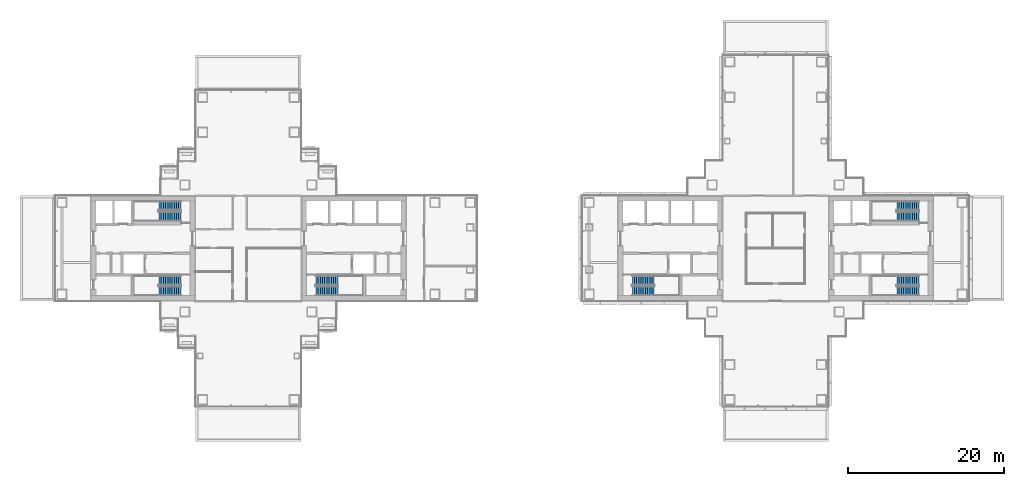
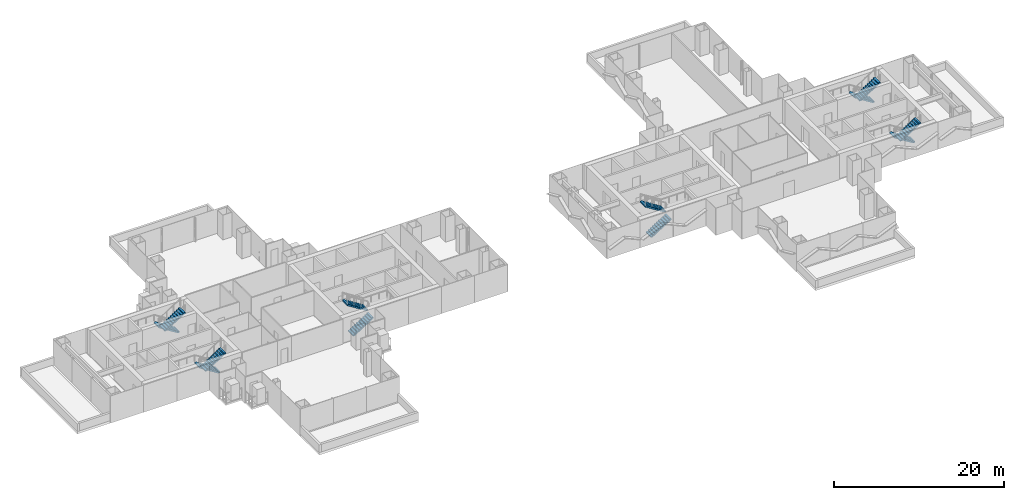
# One storey, part 16 of 20: 12 stair flights, 6 elements without a shape of their own.
"""IFC4 building model written with IfcOpenShell, lengths in metres."""

from ifc_helpers import new_model, si_unit, direction, frame, origin, place, context, subcontext, project, spatial, polyline, outline, extrude, material, type_object, element, aggregate, save


model = new_model("IFC4")

# Units and contexts
model_context = context("Model", 3, precision=1e-05, world=origin(), true_north=direction((0.0, 1.0)))
body_context = subcontext(model_context, "Body", "Model", "MODEL_VIEW")
ifc_project = project(units=[si_unit("LENGTHUNIT", "METRE"), si_unit("AREAUNIT", "SQUARE_METRE"), si_unit("VOLUMEUNIT", "CUBIC_METRE"), si_unit("PLANEANGLEUNIT", "RADIAN"), si_unit("MASSUNIT", "GRAM", prefix="KILO")], contexts=[model_context])

# Site, building, storey
site_placement = place(None, origin())
site = spatial("IfcSite", under=ifc_project, at=site_placement, CompositionType="ELEMENT")
building_placement = place(site_placement, origin())
building = spatial("IfcBuilding", under=site, at=building_placement, Name="Shamsa Quay Exchange Towers", CompositionType="ELEMENT")
storey_placement = place(building_placement, frame((0.0, 0.0, 81.89990234375)))
storey = spatial("IfcBuildingStorey", under=building, at=storey_placement, Name="L18", CompositionType="ELEMENT", Elevation=81.89990234375)

# Stair, stair flights
ifc_material = material(Name="Concrete C40/50", Category="concrete")
stair_type = type_object("IfcStairType", Name="EXIT STAIR 22 RISERS 177 MM", PredefinedType="HALF_TURN_STAIR", material=ifc_material)
stair_1_placement = place(storey_placement, origin())
stair_1 = element("IfcStair", 1, at=stair_1_placement, inside=storey, type_object=stair_type, Name="L18 Exit stair ST1", PredefinedType="HALF_TURN_STAIR")
stair_flight_type = type_object("IfcStairFlightType", Name="EXIT STAIR FLIGHT 11 RISERS 177 MM", PredefinedType="STRAIGHT", material=ifc_material)
stair_flight_1_placement = place(storey_placement, frame((-25.10009765625, -5.449951171875, 0.0)))
stair_flight_1 = element("IfcStairFlight", 2, at=stair_flight_1_placement, type_object=stair_flight_type, Name="ST1 flight 1", NumberOfRisers=11, NumberOfTreads=10, PredefinedType="STRAIGHT", RiserHeight=0.177272727, TreadLength=0.28, context=body_context, shape_type="SweptSolid", body=[
    extrude(outline(polyline([(0.0, 0.0), (0.0, 0.17724609375), (0.280029296875, 0.17724609375), (0.280029296875, 0.3544921875), (0.56005859375, 0.3544921875), (0.56005859375, 0.53173828125), (0.840087890625, 0.53173828125), (0.840087890625, 0.708984375), (1.1201171875, 0.708984375), (1.1201171875, 0.886474609375), (1.39990234375, 0.886474609375), (1.39990234375, 1.063720703125), (1.679931640625, 1.063720703125), (1.679931640625, 1.240966796875), (1.9599609375, 1.240966796875), (1.9599609375, 1.418212890625), (2.239990234375, 1.418212890625), (2.239990234375, 1.595458984375), (2.52001953125, 1.595458984375), (2.52001953125, 1.772705078125), (2.800048828125, 1.772705078125), (2.800048828125, 1.949951171875), (2.800048828125, 1.607177734375), (0.261474609375, 0.0), (0.0, 0.0)])), frame((0.0, 0.60009765625, 0.0), z_axis=(0.0, -1.0, 0.0), x_axis=(1.0, 0.0, 0.0)), (0.0, 0.0, 1.0), 1.199951171875),
])
stair_flight_2_placement = place(storey_placement, frame((-22.300048828125, -4.10009765625, 1.9501953125), z_axis=(0.0, 0.0, 1.0), x_axis=(-1.0, 0.0, 0.0)))
stair_flight_2 = element("IfcStairFlight", 3, at=stair_flight_2_placement, type_object=stair_flight_type, Name="ST1 flight 2", NumberOfRisers=11, NumberOfTreads=10, PredefinedType="STRAIGHT", RiserHeight=0.177272727, TreadLength=0.28, context=body_context, shape_type="SweptSolid", body=[
    extrude(outline(polyline([(0.0, 0.0), (0.0, 0.17724609375), (0.280029296875, 0.17724609375), (0.280029296875, 0.3544921875), (0.56005859375, 0.3544921875), (0.56005859375, 0.53173828125), (0.840087890625, 0.53173828125), (0.840087890625, 0.708984375), (1.1201171875, 0.708984375), (1.1201171875, 0.886474609375), (1.39990234375, 0.886474609375), (1.39990234375, 1.063720703125), (1.679931640625, 1.063720703125), (1.679931640625, 1.240966796875), (1.9599609375, 1.240966796875), (1.9599609375, 1.418212890625), (2.239990234375, 1.418212890625), (2.239990234375, 1.595458984375), (2.52001953125, 1.595458984375), (2.52001953125, 1.772705078125), (2.800048828125, 1.772705078125), (2.800048828125, 1.949951171875), (2.800048828125, 1.607177734375), (0.261474609375, 0.0), (0.0, 0.0)])), frame((0.0, 0.60009765625, 0.0), z_axis=(0.0, -1.0, 0.0), x_axis=(1.0, 0.0, 0.0)), (0.0, 0.0, 1.0), 1.199951171875),
])
aggregate(stair_1, [stair_flight_1, stair_flight_2])

stair_2_placement = place(storey_placement, origin())
stair_2 = element("IfcStair", 4, at=stair_2_placement, inside=storey, type_object=stair_type, Name="L18 Exit stair ST2", PredefinedType="HALF_TURN_STAIR")
stair_flight_3_placement = place(storey_placement, frame((-42.39990234375, -4.10009765625, 0.0), z_axis=(0.0, 0.0, 1.0), x_axis=(-1.0, 0.0, 0.0)))
stair_flight_3 = element("IfcStairFlight", 5, at=stair_flight_3_placement, type_object=stair_flight_type, Name="ST2 flight 1", NumberOfRisers=11, NumberOfTreads=10, PredefinedType="STRAIGHT", RiserHeight=0.177272727, TreadLength=0.28, context=body_context, shape_type="SweptSolid", body=[
    extrude(outline(polyline([(0.0, 0.0), (0.0, 0.17724609375), (0.280029296875, 0.17724609375), (0.280029296875, 0.3544921875), (0.56005859375, 0.3544921875), (0.56005859375, 0.53173828125), (0.840087890625, 0.53173828125), (0.840087890625, 0.708984375), (1.1201171875, 0.708984375), (1.1201171875, 0.886474609375), (1.39990234375, 0.886474609375), (1.39990234375, 1.063720703125), (1.679931640625, 1.063720703125), (1.679931640625, 1.240966796875), (1.9599609375, 1.240966796875), (1.9599609375, 1.418212890625), (2.239990234375, 1.418212890625), (2.239990234375, 1.595458984375), (2.52001953125, 1.595458984375), (2.52001953125, 1.772705078125), (2.800048828125, 1.772705078125), (2.800048828125, 1.949951171875), (2.800048828125, 1.607177734375), (0.261474609375, 0.0), (0.0, 0.0)])), frame((0.0, 0.60009765625, 0.0), z_axis=(0.0, -1.0, 0.0), x_axis=(1.0, 0.0, 0.0)), (0.0, 0.0, 1.0), 1.199951171875),
])
stair_flight_4_placement = place(storey_placement, frame((-45.199951171875, -5.449951171875, 1.9501953125)))
stair_flight_4 = element("IfcStairFlight", 6, at=stair_flight_4_placement, type_object=stair_flight_type, Name="ST2 flight 2", NumberOfRisers=11, NumberOfTreads=10, PredefinedType="STRAIGHT", RiserHeight=0.177272727, TreadLength=0.28, context=body_context, shape_type="SweptSolid", body=[
    extrude(outline(polyline([(0.0, 0.0), (0.0, 0.17724609375), (0.280029296875, 0.17724609375), (0.280029296875, 0.3544921875), (0.56005859375, 0.3544921875), (0.56005859375, 0.53173828125), (0.840087890625, 0.53173828125), (0.840087890625, 0.708984375), (1.1201171875, 0.708984375), (1.1201171875, 0.886474609375), (1.39990234375, 0.886474609375), (1.39990234375, 1.063720703125), (1.679931640625, 1.063720703125), (1.679931640625, 1.240966796875), (1.9599609375, 1.240966796875), (1.9599609375, 1.418212890625), (2.239990234375, 1.418212890625), (2.239990234375, 1.595458984375), (2.52001953125, 1.595458984375), (2.52001953125, 1.772705078125), (2.800048828125, 1.772705078125), (2.800048828125, 1.949951171875), (2.800048828125, 1.607177734375), (0.261474609375, 0.0), (0.0, 0.0)])), frame((0.0, 0.60009765625, 0.0), z_axis=(0.0, -1.0, 0.0), x_axis=(1.0, 0.0, 0.0)), (0.0, 0.0, 1.0), 1.199951171875),
])
aggregate(stair_2, [stair_flight_3, stair_flight_4])

stair_3_placement = place(storey_placement, origin())
stair_3 = element("IfcStair", 7, at=stair_3_placement, inside=storey, type_object=stair_type, Name="L18 Exit stair ST3", PredefinedType="HALF_TURN_STAIR")
stair_flight_5_placement = place(storey_placement, frame((-42.39990234375, 5.449951171875, 0.0), z_axis=(0.0, 0.0, 1.0), x_axis=(-1.0, 0.0, 0.0)))
stair_flight_5 = element("IfcStairFlight", 8, at=stair_flight_5_placement, type_object=stair_flight_type, Name="ST3 flight 1", NumberOfRisers=11, NumberOfTreads=10, PredefinedType="STRAIGHT", RiserHeight=0.177272727, TreadLength=0.28, context=body_context, shape_type="SweptSolid", body=[
    extrude(outline(polyline([(0.0, 0.0), (0.0, 0.17724609375), (0.280029296875, 0.17724609375), (0.280029296875, 0.3544921875), (0.56005859375, 0.3544921875), (0.56005859375, 0.53173828125), (0.840087890625, 0.53173828125), (0.840087890625, 0.708984375), (1.1201171875, 0.708984375), (1.1201171875, 0.886474609375), (1.39990234375, 0.886474609375), (1.39990234375, 1.063720703125), (1.679931640625, 1.063720703125), (1.679931640625, 1.240966796875), (1.9599609375, 1.240966796875), (1.9599609375, 1.418212890625), (2.239990234375, 1.418212890625), (2.239990234375, 1.595458984375), (2.52001953125, 1.595458984375), (2.52001953125, 1.772705078125), (2.800048828125, 1.772705078125), (2.800048828125, 1.949951171875), (2.800048828125, 1.607177734375), (0.261474609375, 0.0), (0.0, 0.0)])), frame((0.0, 0.60009765625, 0.0), z_axis=(0.0, -1.0, 0.0), x_axis=(1.0, 0.0, 0.0)), (0.0, 0.0, 1.0), 1.199951171875),
])
stair_flight_6_placement = place(storey_placement, frame((-45.199951171875, 4.10009765625, 1.9501953125)))
stair_flight_6 = element("IfcStairFlight", 9, at=stair_flight_6_placement, type_object=stair_flight_type, Name="ST3 flight 2", NumberOfRisers=11, NumberOfTreads=10, PredefinedType="STRAIGHT", RiserHeight=0.177272727, TreadLength=0.28, context=body_context, shape_type="SweptSolid", body=[
    extrude(outline(polyline([(0.0, 0.0), (0.0, 0.17724609375), (0.280029296875, 0.17724609375), (0.280029296875, 0.3544921875), (0.56005859375, 0.3544921875), (0.56005859375, 0.53173828125), (0.840087890625, 0.53173828125), (0.840087890625, 0.708984375), (1.1201171875, 0.708984375), (1.1201171875, 0.886474609375), (1.39990234375, 0.886474609375), (1.39990234375, 1.063720703125), (1.679931640625, 1.063720703125), (1.679931640625, 1.240966796875), (1.9599609375, 1.240966796875), (1.9599609375, 1.418212890625), (2.239990234375, 1.418212890625), (2.239990234375, 1.595458984375), (2.52001953125, 1.595458984375), (2.52001953125, 1.772705078125), (2.800048828125, 1.772705078125), (2.800048828125, 1.949951171875), (2.800048828125, 1.607177734375), (0.261474609375, 0.0), (0.0, 0.0)])), frame((0.0, 0.60009765625, 0.0), z_axis=(0.0, -1.0, 0.0), x_axis=(1.0, 0.0, 0.0)), (0.0, 0.0, 1.0), 1.199951171875),
])
aggregate(stair_3, [stair_flight_5, stair_flight_6])

stair_4_placement = place(storey_placement, origin())
stair_4 = element("IfcStair", 10, at=stair_4_placement, inside=storey, type_object=stair_type, Name="L18 Exit stair ST4", PredefinedType="HALF_TURN_STAIR")
stair_flight_7_placement = place(storey_placement, frame((15.39990234375, -5.449951171875, 0.0)))
stair_flight_7 = element("IfcStairFlight", 11, at=stair_flight_7_placement, type_object=stair_flight_type, Name="ST4 flight 1", NumberOfRisers=11, NumberOfTreads=10, PredefinedType="STRAIGHT", RiserHeight=0.177272727, TreadLength=0.28, context=body_context, shape_type="SweptSolid", body=[
    extrude(outline(polyline([(0.0, 0.0), (0.0, 0.17724609375), (0.280029296875, 0.17724609375), (0.280029296875, 0.3544921875), (0.56005859375, 0.3544921875), (0.56005859375, 0.53173828125), (0.840087890625, 0.53173828125), (0.840087890625, 0.708984375), (1.1201171875, 0.708984375), (1.1201171875, 0.886474609375), (1.39990234375, 0.886474609375), (1.39990234375, 1.063720703125), (1.679931640625, 1.063720703125), (1.679931640625, 1.240966796875), (1.9599609375, 1.240966796875), (1.9599609375, 1.418212890625), (2.239990234375, 1.418212890625), (2.239990234375, 1.595458984375), (2.52001953125, 1.595458984375), (2.52001953125, 1.772705078125), (2.800048828125, 1.772705078125), (2.800048828125, 1.949951171875), (2.800048828125, 1.607177734375), (0.261474609375, 0.0), (0.0, 0.0)])), frame((0.0, 0.60009765625, 0.0), z_axis=(0.0, -1.0, 0.0), x_axis=(1.0, 0.0, 0.0)), (0.0, 0.0, 1.0), 1.199951171875),
])
stair_flight_8_placement = place(storey_placement, frame((18.199951171875, -4.10009765625, 1.9501953125), z_axis=(0.0, 0.0, 1.0), x_axis=(-1.0, 0.0, 0.0)))
stair_flight_8 = element("IfcStairFlight", 12, at=stair_flight_8_placement, type_object=stair_flight_type, Name="ST4 flight 2", NumberOfRisers=11, NumberOfTreads=10, PredefinedType="STRAIGHT", RiserHeight=0.177272727, TreadLength=0.28, context=body_context, shape_type="SweptSolid", body=[
    extrude(outline(polyline([(0.0, 0.0), (0.0, 0.17724609375), (0.280029296875, 0.17724609375), (0.280029296875, 0.3544921875), (0.56005859375, 0.3544921875), (0.56005859375, 0.53173828125), (0.840087890625, 0.53173828125), (0.840087890625, 0.708984375), (1.1201171875, 0.708984375), (1.1201171875, 0.886474609375), (1.39990234375, 0.886474609375), (1.39990234375, 1.063720703125), (1.679931640625, 1.063720703125), (1.679931640625, 1.240966796875), (1.9599609375, 1.240966796875), (1.9599609375, 1.418212890625), (2.239990234375, 1.418212890625), (2.239990234375, 1.595458984375), (2.52001953125, 1.595458984375), (2.52001953125, 1.772705078125), (2.800048828125, 1.772705078125), (2.800048828125, 1.949951171875), (2.800048828125, 1.607177734375), (0.261474609375, 0.0), (0.0, 0.0)])), frame((0.0, 0.60009765625, 0.0), z_axis=(0.0, -1.0, 0.0), x_axis=(1.0, 0.0, 0.0)), (0.0, 0.0, 1.0), 1.199951171875),
])
aggregate(stair_4, [stair_flight_7, stair_flight_8])

stair_5_placement = place(storey_placement, origin())
stair_5 = element("IfcStair", 13, at=stair_5_placement, inside=storey, type_object=stair_type, Name="L18 Exit stair ST5", PredefinedType="HALF_TURN_STAIR")
stair_flight_9_placement = place(storey_placement, frame((52.10009765625, -4.10009765625, 0.0), z_axis=(0.0, 0.0, 1.0), x_axis=(-1.0, 0.0, 0.0)))
stair_flight_9 = element("IfcStairFlight", 14, at=stair_flight_9_placement, type_object=stair_flight_type, Name="ST5 flight 1", NumberOfRisers=11, NumberOfTreads=10, PredefinedType="STRAIGHT", RiserHeight=0.177272727, TreadLength=0.28, context=body_context, shape_type="SweptSolid", body=[
    extrude(outline(polyline([(0.0, 0.0), (0.0, 0.17724609375), (0.280029296875, 0.17724609375), (0.280029296875, 0.3544921875), (0.56005859375, 0.3544921875), (0.56005859375, 0.53173828125), (0.840087890625, 0.53173828125), (0.840087890625, 0.708984375), (1.1201171875, 0.708984375), (1.1201171875, 0.886474609375), (1.39990234375, 0.886474609375), (1.39990234375, 1.063720703125), (1.679931640625, 1.063720703125), (1.679931640625, 1.240966796875), (1.9599609375, 1.240966796875), (1.9599609375, 1.418212890625), (2.239990234375, 1.418212890625), (2.239990234375, 1.595458984375), (2.52001953125, 1.595458984375), (2.52001953125, 1.772705078125), (2.800048828125, 1.772705078125), (2.800048828125, 1.949951171875), (2.800048828125, 1.607177734375), (0.261474609375, 0.0), (0.0, 0.0)])), frame((0.0, 0.60009765625, 0.0), z_axis=(0.0, -1.0, 0.0), x_axis=(1.0, 0.0, 0.0)), (0.0, 0.0, 1.0), 1.199951171875),
])
stair_flight_10_placement = place(storey_placement, frame((49.300048828125, -5.449951171875, 1.9501953125)))
stair_flight_10 = element("IfcStairFlight", 15, at=stair_flight_10_placement, type_object=stair_flight_type, Name="ST5 flight 2", NumberOfRisers=11, NumberOfTreads=10, PredefinedType="STRAIGHT", RiserHeight=0.177272727, TreadLength=0.28, context=body_context, shape_type="SweptSolid", body=[
    extrude(outline(polyline([(0.0, 0.0), (0.0, 0.17724609375), (0.280029296875, 0.17724609375), (0.280029296875, 0.3544921875), (0.56005859375, 0.3544921875), (0.56005859375, 0.53173828125), (0.840087890625, 0.53173828125), (0.840087890625, 0.708984375), (1.1201171875, 0.708984375), (1.1201171875, 0.886474609375), (1.39990234375, 0.886474609375), (1.39990234375, 1.063720703125), (1.679931640625, 1.063720703125), (1.679931640625, 1.240966796875), (1.9599609375, 1.240966796875), (1.9599609375, 1.418212890625), (2.239990234375, 1.418212890625), (2.239990234375, 1.595458984375), (2.52001953125, 1.595458984375), (2.52001953125, 1.772705078125), (2.800048828125, 1.772705078125), (2.800048828125, 1.949951171875), (2.800048828125, 1.607177734375), (0.261474609375, 0.0), (0.0, 0.0)])), frame((0.0, 0.60009765625, 0.0), z_axis=(0.0, -1.0, 0.0), x_axis=(1.0, 0.0, 0.0)), (0.0, 0.0, 1.0), 1.199951171875),
])
aggregate(stair_5, [stair_flight_9, stair_flight_10])

stair_6_placement = place(storey_placement, origin())
stair_6 = element("IfcStair", 16, at=stair_6_placement, inside=storey, type_object=stair_type, Name="L18 Exit stair ST6", PredefinedType="HALF_TURN_STAIR")
stair_flight_11_placement = place(storey_placement, frame((52.10009765625, 5.449951171875, 0.0), z_axis=(0.0, 0.0, 1.0), x_axis=(-1.0, 0.0, 0.0)))
stair_flight_11 = element("IfcStairFlight", 17, at=stair_flight_11_placement, type_object=stair_flight_type, Name="ST6 flight 1", NumberOfRisers=11, NumberOfTreads=10, PredefinedType="STRAIGHT", RiserHeight=0.177272727, TreadLength=0.28, context=body_context, shape_type="SweptSolid", body=[
    extrude(outline(polyline([(0.0, 0.0), (0.0, 0.17724609375), (0.280029296875, 0.17724609375), (0.280029296875, 0.3544921875), (0.56005859375, 0.3544921875), (0.56005859375, 0.53173828125), (0.840087890625, 0.53173828125), (0.840087890625, 0.708984375), (1.1201171875, 0.708984375), (1.1201171875, 0.886474609375), (1.39990234375, 0.886474609375), (1.39990234375, 1.063720703125), (1.679931640625, 1.063720703125), (1.679931640625, 1.240966796875), (1.9599609375, 1.240966796875), (1.9599609375, 1.418212890625), (2.239990234375, 1.418212890625), (2.239990234375, 1.595458984375), (2.52001953125, 1.595458984375), (2.52001953125, 1.772705078125), (2.800048828125, 1.772705078125), (2.800048828125, 1.949951171875), (2.800048828125, 1.607177734375), (0.261474609375, 0.0), (0.0, 0.0)])), frame((0.0, 0.60009765625, 0.0), z_axis=(0.0, -1.0, 0.0), x_axis=(1.0, 0.0, 0.0)), (0.0, 0.0, 1.0), 1.199951171875),
])
stair_flight_12_placement = place(storey_placement, frame((49.300048828125, 4.10009765625, 1.9501953125)))
stair_flight_12 = element("IfcStairFlight", 18, at=stair_flight_12_placement, type_object=stair_flight_type, Name="ST6 flight 2", NumberOfRisers=11, NumberOfTreads=10, PredefinedType="STRAIGHT", RiserHeight=0.177272727, TreadLength=0.28, context=body_context, shape_type="SweptSolid", body=[
    extrude(outline(polyline([(0.0, 0.0), (0.0, 0.17724609375), (0.280029296875, 0.17724609375), (0.280029296875, 0.3544921875), (0.56005859375, 0.3544921875), (0.56005859375, 0.53173828125), (0.840087890625, 0.53173828125), (0.840087890625, 0.708984375), (1.1201171875, 0.708984375), (1.1201171875, 0.886474609375), (1.39990234375, 0.886474609375), (1.39990234375, 1.063720703125), (1.679931640625, 1.063720703125), (1.679931640625, 1.240966796875), (1.9599609375, 1.240966796875), (1.9599609375, 1.418212890625), (2.239990234375, 1.418212890625), (2.239990234375, 1.595458984375), (2.52001953125, 1.595458984375), (2.52001953125, 1.772705078125), (2.800048828125, 1.772705078125), (2.800048828125, 1.949951171875), (2.800048828125, 1.607177734375), (0.261474609375, 0.0), (0.0, 0.0)])), frame((0.0, 0.60009765625, 0.0), z_axis=(0.0, -1.0, 0.0), x_axis=(1.0, 0.0, 0.0)), (0.0, 0.0, 1.0), 1.199951171875),
])
aggregate(stair_6, [stair_flight_11, stair_flight_12])

save(model, "model.ifc")
